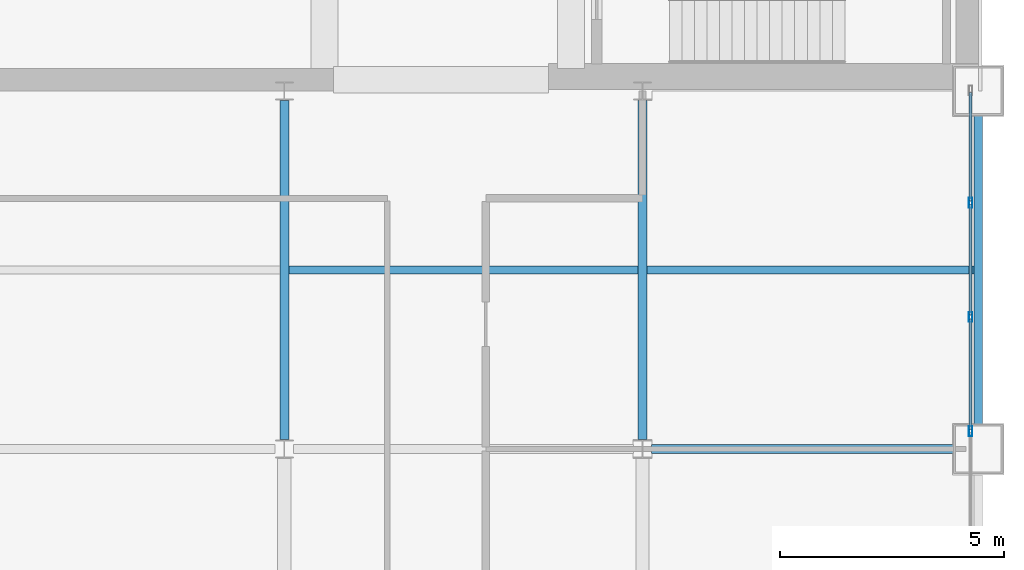
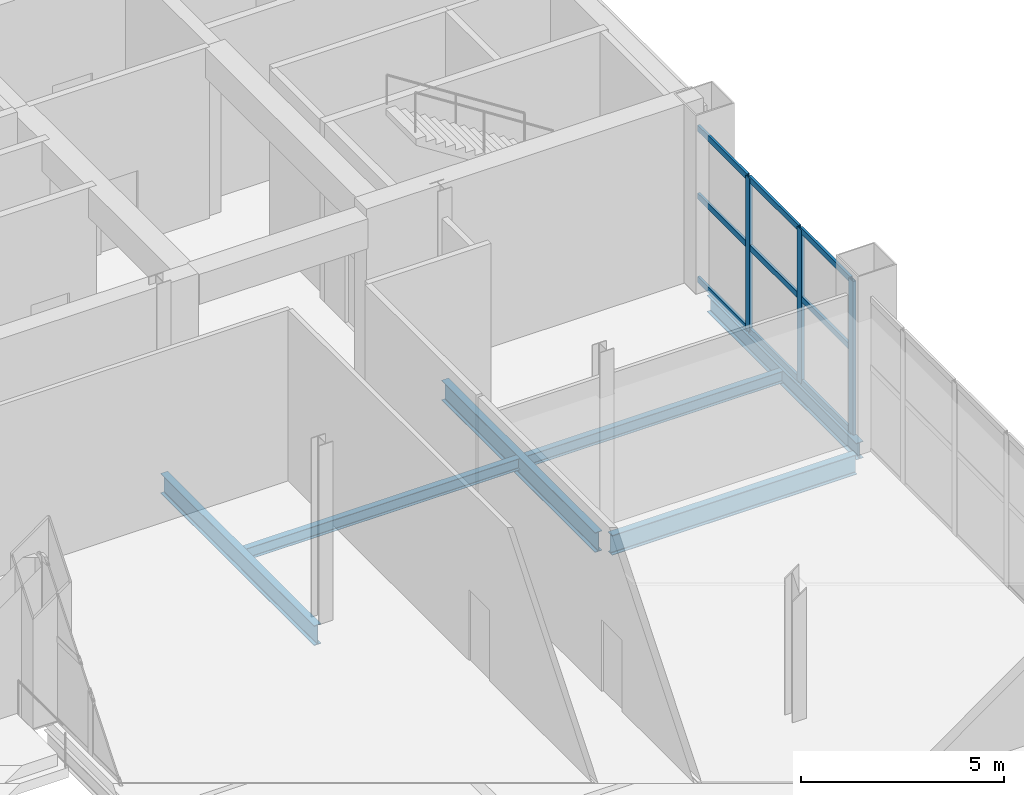
# One storey, part 11 of 22: 12 members, 6 beams, 1 element without a shape of its own.
"""IFC4 building model written with IfcOpenShell, lengths in metres."""

from ifc_helpers import new_model, si_unit, direction, frame, origin, origin_2d, place, context, subcontext, project, spatial, hollow_rectangle, i_section, extrude, material, layer, layer_set, material_profile, profile_set, type_object, element, aggregate, save


model = new_model("IFC4")

# Units and contexts
model_context = context("Model", 3, precision=1e-05, world=origin(), true_north=direction((0.0, 1.0)))
body_context = subcontext(model_context, "Body", "Model", "MODEL_VIEW")
ifc_project = project(units=[si_unit("LENGTHUNIT", "METRE"), si_unit("AREAUNIT", "SQUARE_METRE"), si_unit("VOLUMEUNIT", "CUBIC_METRE"), si_unit("PLANEANGLEUNIT", "RADIAN"), si_unit("MASSUNIT", "GRAM", prefix="KILO")], contexts=[model_context])

# Site, building, storey
site_placement = place(None, origin())
site = spatial("IfcSite", under=ifc_project, at=site_placement, CompositionType="ELEMENT")
building_placement = place(site_placement, origin())
building = spatial("IfcBuilding", under=site, at=building_placement, Name="Qianrong Seaharbour Tower", CompositionType="ELEMENT")
storey_placement = place(building_placement, frame((0.0, 0.0, 113.60009765625)))
storey = spatial("IfcBuildingStorey", under=building, at=storey_placement, Name="L27", CompositionType="ELEMENT", Elevation=113.60009765625)

# Beams
ifc_material_1 = material(Name="Structural steel SN490B", Category="steel")
ifc_material_profile_1 = material_profile(ifc_material_1, i_section(OverallWidth=0.199951171875, OverallDepth=0.60009765625, WebThickness=0.010986328125, FlangeThickness=0.01708984375, FilletRadius=0.02197265625, at=origin_2d()), Name="H600x200x11x17")
ifc_profile_set_1 = profile_set([ifc_material_profile_1], Name="Structural steel SN490B")
beam_type_1 = type_object("IfcBeamType", Name="BM-G-600", PredefinedType="BEAM", material=ifc_profile_set_1)
beam_1_placement = place(storey_placement, frame((56.70361328125, 28.0, -0.60009765625), z_axis=(1.0, 0.0, 0.0), x_axis=(0.0, 1.0, 0.0)))
element("IfcBeam", 1, at=beam_1_placement, inside=storey, type_object=beam_type_1, Name="L27 Primary Girder GE G8-G9", PredefinedType="BEAM", context=body_context, shape_type="SweptSolid", body=[
    extrude(i_section(OverallWidth=0.199951171875, OverallDepth=0.60009765625, WebThickness=0.010986328125, FlangeThickness=0.01708984375, FilletRadius=0.02197265625, at=origin_2d()), origin(), (0.0, 0.0, 1.0), 6.976318359375),
])
for number, where, z_axis, x_axis, name in (
    (2, (48.5, 28.214111328125, -0.60009765625), (0.0, 1.0, 0.0), (-1.0, 0.0, 0.0), "L27 Primary Girder G7 GE-GF"),
    (3, (56.5, 28.214111328125, -0.60009765625), (0.0, 1.0, 0.0), (-1.0, 0.0, 0.0), "L27 Primary Girder G8 GE-GF"),
):
    element("IfcBeam", number, at=place(storey_placement, frame(where, z_axis=z_axis, x_axis=x_axis)), inside=storey, type_object=beam_type_1, Name=name, PredefinedType="BEAM", context=body_context, shape_type="SweptSolid", body=[
        extrude(i_section(OverallWidth=0.199951171875, OverallDepth=0.60009765625, WebThickness=0.010986328125, FlangeThickness=0.01708984375, FilletRadius=0.02197265625, at=origin_2d()), origin(), (0.0, 0.0, 1.0), 7.57177734375),
    ])
ifc_material_2 = material(Name="Structural steel SN400B", Category="steel")
ifc_material_profile_2 = material_profile(ifc_material_2, i_section(OverallWidth=0.175048828125, OverallDepth=0.35009765625, WebThickness=0.007080078125, FlangeThickness=0.010986328125, FilletRadius=0.013916015625, at=origin_2d()), Name="H350x175x7x11")
ifc_profile_set_2 = profile_set([ifc_material_profile_2], Name="Structural steel SN400B")
beam_type_2 = type_object("IfcBeamType", Name="BM-J-350", PredefinedType="JOIST", material=ifc_profile_set_2)
beam_2_placement = place(storey_placement, frame((48.60009765625, 32.0, -0.47509765625), z_axis=(1.0, 0.0, 0.0), x_axis=(0.0, 1.0, 0.0)))
element("IfcBeam", 4, at=beam_2_placement, inside=storey, type_object=beam_type_2, Name="L27 Composite Floor Joist G7-G8/GE-GF", PredefinedType="JOIST", context=body_context, shape_type="SweptSolid", body=[
    extrude(i_section(OverallWidth=0.175048828125, OverallDepth=0.35009765625, WebThickness=0.007080078125, FlangeThickness=0.010986328125, FilletRadius=0.013916015625, at=origin_2d()), origin(), (0.0, 0.0, 1.0), 7.7998046875),
])
beam_3_placement = place(storey_placement, frame((56.60009765625, 32.0, -0.47509765625), z_axis=(1.0, 0.0, 0.0), x_axis=(0.0, 1.0, 0.0)))
element("IfcBeam", 5, at=beam_3_placement, inside=storey, type_object=beam_type_2, Name="L27 Composite Floor Joist G8-G9/GE-GF", PredefinedType="JOIST", context=body_context, shape_type="SweptSolid", body=[
    extrude(i_section(OverallWidth=0.175048828125, OverallDepth=0.35009765625, WebThickness=0.007080078125, FlangeThickness=0.010986328125, FilletRadius=0.013916015625, at=origin_2d()), origin(), (0.0, 0.0, 1.0), 7.2998046875),
])
ifc_material_profile_3 = material_profile(ifc_material_1, i_section(OverallWidth=0.199951171875, OverallDepth=0.5, WebThickness=0.010009765625, FlangeThickness=0.01611328125, FilletRadius=0.02001953125, at=origin_2d()), Name="H500x200x10x16")
ifc_profile_set_3 = profile_set([ifc_material_profile_3], Name="Structural steel SN490B")
beam_type_3 = type_object("IfcBeamType", Name="BM-SP-500", PredefinedType="SPANDREL", material=ifc_profile_set_3)
beam_4_placement = place(storey_placement, frame((64.0, 28.320068359375, -0.550048828125), z_axis=(0.0, 1.0, 0.0), x_axis=(-1.0, 0.0, 0.0)))
element("IfcBeam", 6, at=beam_4_placement, inside=storey, type_object=beam_type_3, Name="L27 Spandrel Girder G9 GE-GF", PredefinedType="SPANDREL", context=body_context, shape_type="SweptSolid", body=[
    extrude(i_section(OverallWidth=0.199951171875, OverallDepth=0.5, WebThickness=0.010009765625, FlangeThickness=0.01611328125, FilletRadius=0.02001953125, at=origin_2d()), origin(), (0.0, 0.0, 1.0), 7.35986328125),
])

# Curtain wall, members
ifc_material_3 = material(Name="Anodised aluminium 6063-T6 and laminated low-e glass", Category="aluminium")
ifc_layer = layer(ifc_material_3, 0.2099609375)
ifc_layer_set = layer_set([ifc_layer], Name="Anodised aluminium 6063-T6 and laminated low-e glass")
curtain_wall_type = type_object("IfcCurtainWallType", Name="CW-SYS-2", PredefinedType="NOTDEFINED", material=ifc_layer_set)
curtain_wall_placement = place(storey_placement, origin())
curtain_wall = element("IfcCurtainWall", 7, at=curtain_wall_placement, inside=storey, type_object=curtain_wall_type, Name="L27 Sky-Lobby Feature Curtain Wall EAST_WING", PredefinedType="NOTDEFINED")
ifc_material_4 = material(Name="Extruded aluminium 6063-T6", Category="aluminium")
ifc_material_profile_4 = material_profile(ifc_material_4, hollow_rectangle(XDim=0.080078125, YDim=0.219970703125, WallThickness=0.0048828125, at=origin_2d()), Name="ALU-MUL-220x80x5")
ifc_profile_set_4 = profile_set([ifc_material_profile_4], Name="Extruded aluminium 6063-T6")
member_type_1 = type_object("IfcMemberType", Name="CW-MUL-220", PredefinedType="MULLION", material=ifc_profile_set_4)
member_1_placement = place(storey_placement, frame((63.830078125, 33.5, 0.0), z_axis=(0.0, 0.0, 1.0), x_axis=(1.0, 0.0, 0.0)))
member_1 = element("IfcMember", 8, at=member_1_placement, type_object=member_type_1, Name="CW-2 mullion 2", PredefinedType="MULLION", context=body_context, shape_type="SweptSolid", body=[
    extrude(hollow_rectangle(XDim=0.080078125, YDim=0.219970703125, WallThickness=0.0048828125, at=origin_2d()), origin(), (0.0, 0.0, 1.0), 4.625),
])
member_2_placement = place(storey_placement, frame((63.830078125, 30.949951171875, 0.0), z_axis=(0.0, 0.0, 1.0), x_axis=(1.0, 0.0, 0.0)))
member_2 = element("IfcMember", 9, at=member_2_placement, type_object=member_type_1, Name="CW-2 mullion 3", PredefinedType="MULLION", context=body_context, shape_type="SweptSolid", body=[
    extrude(hollow_rectangle(XDim=0.080078125, YDim=0.219970703125, WallThickness=0.0048828125, at=origin_2d()), origin(), (0.0, 0.0, 1.0), 4.625),
])
member_3_placement = place(storey_placement, frame((63.830078125, 28.39990234375, 0.0), z_axis=(0.0, 0.0, 1.0), x_axis=(1.0, 0.0, 0.0)))
member_3 = element("IfcMember", 10, at=member_3_placement, type_object=member_type_1, Name="CW-2 mullion 4", PredefinedType="MULLION", context=body_context, shape_type="SweptSolid", body=[
    extrude(hollow_rectangle(XDim=0.080078125, YDim=0.219970703125, WallThickness=0.0048828125, at=origin_2d()), origin(), (0.0, 0.0, 1.0), 4.625),
])
ifc_material_profile_5 = material_profile(ifc_material_4, hollow_rectangle(XDim=0.070068359375, YDim=0.179931640625, WallThickness=0.00390625, at=origin_2d()), Name="ALU-TRN-180x70x4")
ifc_profile_set_5 = profile_set([ifc_material_profile_5], Name="Extruded aluminium 6063-T6")
member_type_2 = type_object("IfcMemberType", Name="CW-TRN-180", PredefinedType="USERDEFINED", material=ifc_profile_set_5)
member_4_placement = place(storey_placement, frame((63.830078125, 35.969970703125, 0.034912109375), z_axis=(0.0, -1.0, 0.0), x_axis=(1.0, 0.0, 0.0)))
member_4 = element("IfcMember", 11, at=member_4_placement, type_object=member_type_2, Name="CW-2 transom 1.1", ObjectType="TRANSOM", PredefinedType="USERDEFINED", context=body_context, shape_type="SweptSolid", body=[
    extrude(hollow_rectangle(XDim=0.070068359375, YDim=0.179931640625, WallThickness=0.00390625, at=origin_2d()), origin(), (0.0, 0.0, 1.0), 2.429931640625),
])
member_5_placement = place(storey_placement, frame((63.830078125, 35.969970703125, 2.543701171875), z_axis=(0.0, -1.0, 0.0), x_axis=(1.0, 0.0, 0.0)))
member_5 = element("IfcMember", 12, at=member_5_placement, type_object=member_type_2, Name="CW-2 transom 1.2", ObjectType="TRANSOM", PredefinedType="USERDEFINED", context=body_context, shape_type="SweptSolid", body=[
    extrude(hollow_rectangle(XDim=0.070068359375, YDim=0.179931640625, WallThickness=0.00390625, at=origin_2d()), origin(), (0.0, 0.0, 1.0), 2.429931640625),
])
member_6_placement = place(storey_placement, frame((63.830078125, 35.969970703125, 4.58984375), z_axis=(0.0, -1.0, 0.0), x_axis=(1.0, 0.0, 0.0)))
member_6 = element("IfcMember", 13, at=member_6_placement, type_object=member_type_2, Name="CW-2 transom 1.3", ObjectType="TRANSOM", PredefinedType="USERDEFINED", context=body_context, shape_type="SweptSolid", body=[
    extrude(hollow_rectangle(XDim=0.070068359375, YDim=0.179931640625, WallThickness=0.00390625, at=origin_2d()), origin(), (0.0, 0.0, 1.0), 2.429931640625),
])
member_7_placement = place(storey_placement, frame((63.830078125, 33.4599609375, 0.034912109375), z_axis=(0.0, -1.0, 0.0), x_axis=(1.0, 0.0, 0.0)))
member_7 = element("IfcMember", 14, at=member_7_placement, type_object=member_type_2, Name="CW-2 transom 2.1", ObjectType="TRANSOM", PredefinedType="USERDEFINED", context=body_context, shape_type="SweptSolid", body=[
    extrude(hollow_rectangle(XDim=0.070068359375, YDim=0.179931640625, WallThickness=0.00390625, at=origin_2d()), origin(), (0.0, 0.0, 1.0), 2.469970703125),
])
member_8_placement = place(storey_placement, frame((63.830078125, 33.4599609375, 2.543701171875), z_axis=(0.0, -1.0, 0.0), x_axis=(1.0, 0.0, 0.0)))
member_8 = element("IfcMember", 15, at=member_8_placement, type_object=member_type_2, Name="CW-2 transom 2.2", ObjectType="TRANSOM", PredefinedType="USERDEFINED", context=body_context, shape_type="SweptSolid", body=[
    extrude(hollow_rectangle(XDim=0.070068359375, YDim=0.179931640625, WallThickness=0.00390625, at=origin_2d()), origin(), (0.0, 0.0, 1.0), 2.469970703125),
])
member_9_placement = place(storey_placement, frame((63.830078125, 33.4599609375, 4.58984375), z_axis=(0.0, -1.0, 0.0), x_axis=(1.0, 0.0, 0.0)))
member_9 = element("IfcMember", 16, at=member_9_placement, type_object=member_type_2, Name="CW-2 transom 2.3", ObjectType="TRANSOM", PredefinedType="USERDEFINED", context=body_context, shape_type="SweptSolid", body=[
    extrude(hollow_rectangle(XDim=0.070068359375, YDim=0.179931640625, WallThickness=0.00390625, at=origin_2d()), origin(), (0.0, 0.0, 1.0), 2.469970703125),
])
member_10_placement = place(storey_placement, frame((63.830078125, 30.909912109375, 0.034912109375), z_axis=(0.0, -1.0, 0.0), x_axis=(1.0, 0.0, 0.0)))
member_10 = element("IfcMember", 17, at=member_10_placement, type_object=member_type_2, Name="CW-2 transom 3.1", ObjectType="TRANSOM", PredefinedType="USERDEFINED", context=body_context, shape_type="SweptSolid", body=[
    extrude(hollow_rectangle(XDim=0.070068359375, YDim=0.179931640625, WallThickness=0.00390625, at=origin_2d()), origin(), (0.0, 0.0, 1.0), 2.469970703125),
])
member_11_placement = place(storey_placement, frame((63.830078125, 30.909912109375, 2.543701171875), z_axis=(0.0, -1.0, 0.0), x_axis=(1.0, 0.0, 0.0)))
member_11 = element("IfcMember", 18, at=member_11_placement, type_object=member_type_2, Name="CW-2 transom 3.2", ObjectType="TRANSOM", PredefinedType="USERDEFINED", context=body_context, shape_type="SweptSolid", body=[
    extrude(hollow_rectangle(XDim=0.070068359375, YDim=0.179931640625, WallThickness=0.00390625, at=origin_2d()), origin(), (0.0, 0.0, 1.0), 2.469970703125),
])
member_12_placement = place(storey_placement, frame((63.830078125, 30.909912109375, 4.58984375), z_axis=(0.0, -1.0, 0.0), x_axis=(1.0, 0.0, 0.0)))
member_12 = element("IfcMember", 19, at=member_12_placement, type_object=member_type_2, Name="CW-2 transom 3.3", ObjectType="TRANSOM", PredefinedType="USERDEFINED", context=body_context, shape_type="SweptSolid", body=[
    extrude(hollow_rectangle(XDim=0.070068359375, YDim=0.179931640625, WallThickness=0.00390625, at=origin_2d()), origin(), (0.0, 0.0, 1.0), 2.469970703125),
])
aggregate(curtain_wall, [member_1, member_2, member_3, member_4, member_5, member_6, member_7, member_8, member_9, member_10, member_11, member_12])

save(model, "model.ifc")
